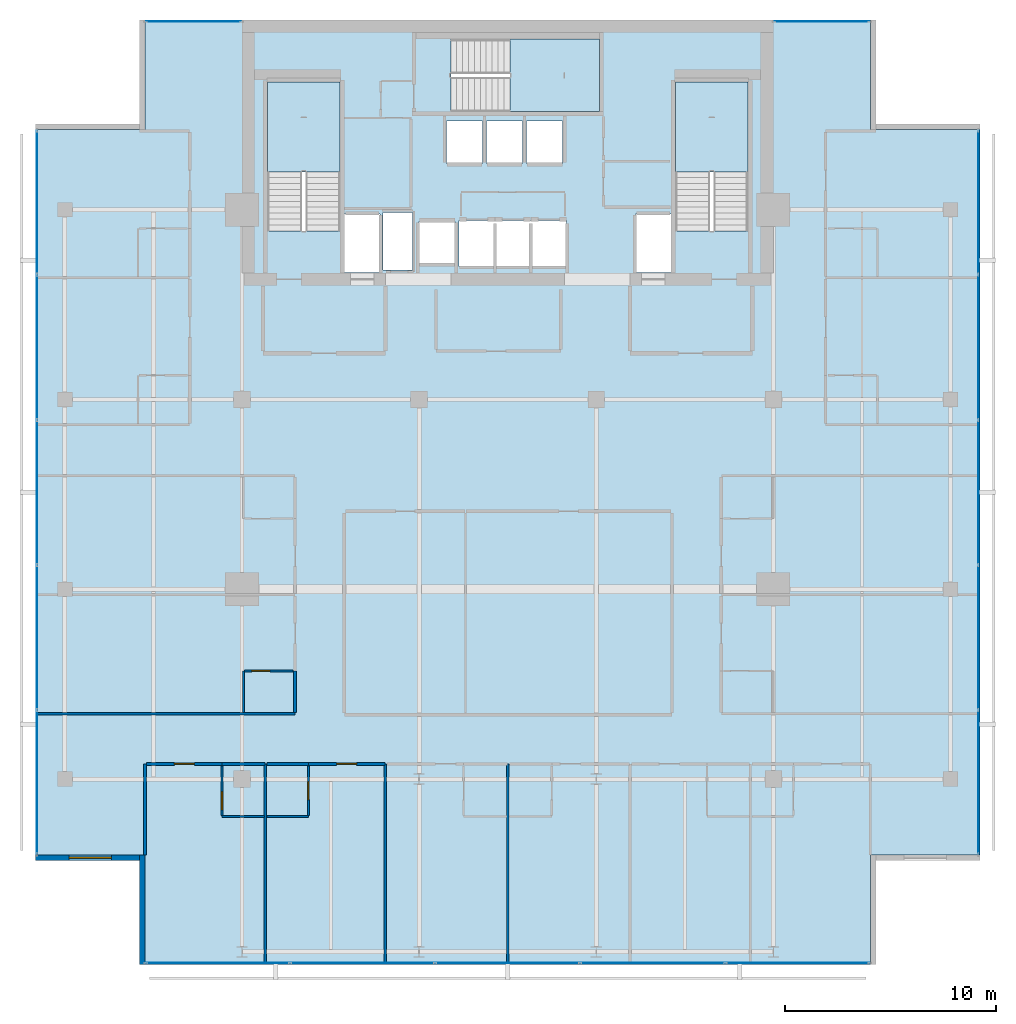
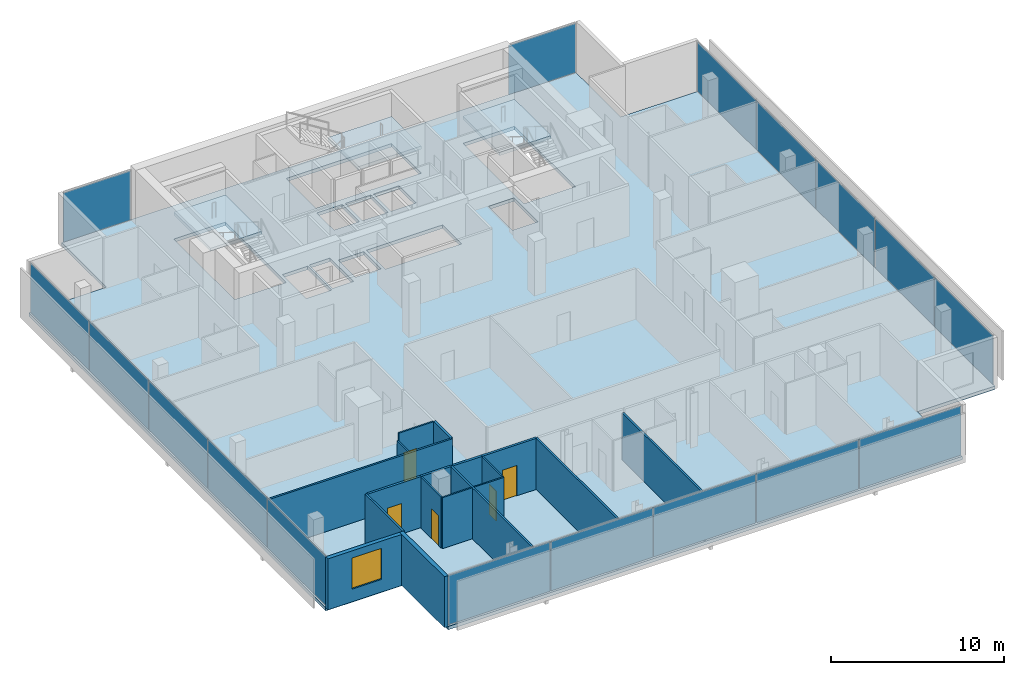
# One storey, part 19 of 25: 18 walls, 17 plates, 5 doors, 4 slabs, 1 window, 6 openings, 8 elements without a shape of their own.
"""IFC4 building model written with IfcOpenShell, lengths in metres."""

from ifc_helpers import new_model, si_unit, direction, frame, frame_2d, origin, origin_2d, place, context, subcontext, project, spatial, polyline, rectangle, outline, extrude, material, layer, layer_set, type_object, element, fill, aggregate, save


model = new_model("IFC4")

# Units and contexts
model_context = context("Model", 3, precision=1e-05, world=origin(), true_north=direction((0.0, 1.0)))
body_context = subcontext(model_context, "Body", "Model", "MODEL_VIEW")
ifc_project = project(units=[si_unit("LENGTHUNIT", "METRE"), si_unit("AREAUNIT", "SQUARE_METRE"), si_unit("VOLUMEUNIT", "CUBIC_METRE"), si_unit("PLANEANGLEUNIT", "RADIAN"), si_unit("MASSUNIT", "GRAM", prefix="KILO")], contexts=[model_context])

# Site, building, storey
site_placement = place(None, origin())
site = spatial("IfcSite", under=ifc_project, at=site_placement, CompositionType="ELEMENT")
building_placement = place(site_placement, origin())
building = spatial("IfcBuilding", under=site, at=building_placement, Name="Maruvema Waterfront Hotel and Observation Tower", CompositionType="ELEMENT")
storey_placement = place(building_placement, frame((0.0, 0.0, 247.10009765625)))
storey = spatial("IfcBuildingStorey", under=building, at=storey_placement, Name="L60", CompositionType="ELEMENT", Elevation=247.10009765625)

# Slab
ifc_material_1 = material(Name="Concrete C50/60", Category="concrete")
ifc_layer_1 = layer(ifc_material_1, 0.239990234375, Name="Reinforced Concrete Floor Slab 240 mm")
ifc_layer_set_1 = layer_set([ifc_layer_1], Name="Concrete C50/60")
slab_type_1 = type_object("IfcSlabType", Name="Reinforced Concrete Floor Slab 240 mm", PredefinedType="FLOOR", material=ifc_layer_set_1)
slab_1_placement = place(storey_placement, frame((0.0, 0.0, -0.239990234375)))
element("IfcSlab", 1, at=slab_1_placement, inside=storey, type_object=slab_type_1, Name="L60 Structural Floor Slab", PredefinedType="FLOOR", context=body_context, shape_type="SweptSolid", body=[
    extrude(outline(polyline([(20.60009765625, 9.199951171875), (55.0, 9.199951171875), (55.0, 14.39990234375), (60.199951171875, 14.39990234375), (60.199951171875, 48.800048828125), (55.0, 48.800048828125), (55.0, 54.0), (20.60009765625, 54.0), (20.60009765625, 48.800048828125), (15.39990234375, 48.800048828125), (15.39990234375, 14.39990234375), (20.60009765625, 14.39990234375), (20.60009765625, 9.199951171875)]), holes=[polyline([(26.39990234375, 44.00048828125), (26.39990234375, 51.050048828125), (29.85009765625, 51.050048828125), (29.85009765625, 44.00048828125), (26.39990234375, 44.00048828125)]), polyline([(30.050048828125, 44.800048828125), (31.75, 44.800048828125), (31.75, 42.02001953125), (30.050048828125, 42.02001953125), (30.050048828125, 44.800048828125)]), polyline([(31.8798828125, 42.139892578125), (31.8798828125, 44.860107421875), (33.280029296875, 44.860107421875), (33.280029296875, 42.139892578125), (31.8798828125, 42.139892578125)]), polyline([(33.60009765625, 44.449951171875), (35.300048828125, 44.449951171875), (35.300048828125, 42.449951171875), (33.60009765625, 42.449951171875), (33.60009765625, 44.449951171875)]), polyline([(34.89990234375, 49.199951171875), (36.60009765625, 49.199951171875), (36.60009765625, 47.199951171875), (34.89990234375, 47.199951171875), (34.89990234375, 49.199951171875)]), polyline([(36.800048828125, 47.199951171875), (36.800048828125, 49.199951171875), (38.5, 49.199951171875), (38.5, 47.199951171875), (36.800048828125, 47.199951171875)]), polyline([(35.5, 42.300048828125), (35.5, 44.5), (40.60009765625, 44.5), (40.60009765625, 42.300048828125), (35.5, 42.300048828125)]), polyline([(35.1005859375, 53.10009765625), (42.14990234375, 53.10009765625), (42.14990234375, 49.64990234375), (35.1005859375, 49.64990234375), (35.1005859375, 53.10009765625)]), polyline([(38.699951171875, 49.199951171875), (40.39990234375, 49.199951171875), (40.39990234375, 47.199951171875), (38.699951171875, 47.199951171875), (38.699951171875, 49.199951171875)]), polyline([(43.85009765625, 44.800048828125), (45.550048828125, 44.800048828125), (45.550048828125, 42.02001953125), (43.85009765625, 42.02001953125), (43.85009765625, 44.800048828125)]), polyline([(45.75, 44.00048828125), (45.75, 51.050048828125), (49.199951171875, 51.050048828125), (49.199951171875, 44.00048828125), (45.75, 44.00048828125)])]), origin(), (0.0, 0.0, 1.0), 0.239990234375),
])

# Curtain wall, plates
ifc_material_2 = material(Name="Anodised bronze aluminium and solar-control low-E IGU", Category="aluminium")
ifc_layer_2 = layer(ifc_material_2, 0.159912109375, Name="Zone 3 Champagne Inner Thermal Curtain Wall System CW-04")
ifc_layer_set_2 = layer_set([ifc_layer_2], Name="Anodised bronze aluminium and solar-control low-E IGU")
curtain_wall_type = type_object("IfcCurtainWallType", Name="Zone 3 Champagne Inner Thermal Curtain Wall System CW-04", PredefinedType="USERDEFINED", material=ifc_layer_set_2)
curtain_wall_1_placement = place(storey_placement, origin())
curtain_wall_1 = element("IfcCurtainWall", 2, at=curtain_wall_1_placement, inside=storey, type_object=curtain_wall_type, Name="L60 Curtain Wall CW-L60-S", ObjectType="UNITISED CURTAIN WALL", PredefinedType="USERDEFINED")
ifc_material_3 = material(Name="Laminated low-E solar-control double glazing", Category="glass")
ifc_layer_3 = layer(ifc_material_3, 0.035888671875, Name="Solar Control Double-Glazed Curtain Panel 36 mm")
ifc_layer_set_3 = layer_set([ifc_layer_3], Name="Laminated low-E solar-control double glazing")
plate_type = type_object("IfcPlateType", Name="Solar Control Double-Glazed Curtain Panel 36 mm", PredefinedType="CURTAIN_PANEL", material=ifc_layer_set_3)
plate_1_placement = place(storey_placement, frame((24.054931640625, 9.280029296875, 0.06005859375), z_axis=(0.0, 0.0, 1.0), x_axis=(1.0, 0.0, 0.0)))
plate_1 = element("IfcPlate", 3, at=plate_1_placement, type_object=plate_type, Name="CW-04 panel 1.1", PredefinedType="CURTAIN_PANEL", context=body_context, shape_type="SweptSolid", body=[
    extrude(rectangle(XDim=6.7900390625, YDim=0.028076171875, at=origin_2d()), origin(), (0.0, 0.0, 1.0), 3.489990234375),
])
plate_2_placement = place(storey_placement, frame((30.919921875, 9.280029296875, 0.06005859375), z_axis=(0.0, 0.0, 1.0), x_axis=(1.0, 0.0, 0.0)))
plate_2 = element("IfcPlate", 4, at=plate_2_placement, type_object=plate_type, Name="CW-04 panel 2.1", PredefinedType="CURTAIN_PANEL", context=body_context, shape_type="SweptSolid", body=[
    extrude(rectangle(XDim=6.820068359375, YDim=0.028076171875, at=origin_2d()), origin(), (0.0, 0.0, 1.0), 3.489990234375),
])
plate_3_placement = place(storey_placement, frame((37.800048828125, 9.280029296875, 0.06005859375), z_axis=(0.0, 0.0, 1.0), x_axis=(1.0, 0.0, 0.0)))
plate_3 = element("IfcPlate", 5, at=plate_3_placement, type_object=plate_type, Name="CW-04 panel 3.1", PredefinedType="CURTAIN_PANEL", context=body_context, shape_type="SweptSolid", body=[
    extrude(rectangle(XDim=6.820068359375, YDim=0.028076171875, at=origin_2d()), origin(), (0.0, 0.0, 1.0), 3.489990234375),
])
plate_4_placement = place(storey_placement, frame((44.679931640625, 9.280029296875, 0.06005859375), z_axis=(0.0, 0.0, 1.0), x_axis=(1.0, 0.0, 0.0)))
plate_4 = element("IfcPlate", 6, at=plate_4_placement, type_object=plate_type, Name="CW-04 panel 4.1", PredefinedType="CURTAIN_PANEL", context=body_context, shape_type="SweptSolid", body=[
    extrude(rectangle(XDim=6.820068359375, YDim=0.028076171875, at=origin_2d()), origin(), (0.0, 0.0, 1.0), 3.489990234375),
])
plate_5_placement = place(storey_placement, frame((51.544921875, 9.280029296875, 0.06005859375), z_axis=(0.0, 0.0, 1.0), x_axis=(1.0, 0.0, 0.0)))
plate_5 = element("IfcPlate", 7, at=plate_5_placement, type_object=plate_type, Name="CW-04 panel 5.1", PredefinedType="CURTAIN_PANEL", context=body_context, shape_type="SweptSolid", body=[
    extrude(rectangle(XDim=6.7900390625, YDim=0.028076171875, at=origin_2d()), origin(), (0.0, 0.0, 1.0), 3.489990234375),
])
aggregate(curtain_wall_1, [plate_1, plate_2, plate_3, plate_4, plate_5])

curtain_wall_2_placement = place(storey_placement, origin())
curtain_wall_2 = element("IfcCurtainWall", 8, at=curtain_wall_2_placement, inside=storey, type_object=curtain_wall_type, Name="L60 Curtain Wall CW-L60-E", ObjectType="UNITISED CURTAIN WALL", PredefinedType="USERDEFINED")
plate_6_placement = place(storey_placement, frame((60.1201171875, 17.85498046875, 0.06005859375), z_axis=(0.0, 0.0, 1.0), x_axis=(0.0, 1.0, 0.0)))
plate_6 = element("IfcPlate", 9, at=plate_6_placement, type_object=plate_type, Name="CW-04 panel 1.1", PredefinedType="CURTAIN_PANEL", context=body_context, shape_type="SweptSolid", body=[
    extrude(rectangle(XDim=6.7900390625, YDim=0.028076171875, at=origin_2d()), origin(), (0.0, 0.0, 1.0), 3.489990234375),
])
plate_7_placement = place(storey_placement, frame((60.1201171875, 24.719970703125, 0.06005859375), z_axis=(0.0, 0.0, 1.0), x_axis=(0.0, 1.0, 0.0)))
plate_7 = element("IfcPlate", 10, at=plate_7_placement, type_object=plate_type, Name="CW-04 panel 2.1", PredefinedType="CURTAIN_PANEL", context=body_context, shape_type="SweptSolid", body=[
    extrude(rectangle(XDim=6.820068359375, YDim=0.028076171875, at=origin_2d()), origin(), (0.0, 0.0, 1.0), 3.489990234375),
])
plate_8_placement = place(storey_placement, frame((60.1201171875, 31.60009765625, 0.06005859375), z_axis=(0.0, 0.0, 1.0), x_axis=(0.0, 1.0, 0.0)))
plate_8 = element("IfcPlate", 11, at=plate_8_placement, type_object=plate_type, Name="CW-04 panel 3.1", PredefinedType="CURTAIN_PANEL", context=body_context, shape_type="SweptSolid", body=[
    extrude(rectangle(XDim=6.820068359375, YDim=0.028076171875, at=origin_2d()), origin(), (0.0, 0.0, 1.0), 3.489990234375),
])
plate_9_placement = place(storey_placement, frame((60.1201171875, 38.47998046875, 0.06005859375), z_axis=(0.0, 0.0, 1.0), x_axis=(0.0, 1.0, 0.0)))
plate_9 = element("IfcPlate", 12, at=plate_9_placement, type_object=plate_type, Name="CW-04 panel 4.1", PredefinedType="CURTAIN_PANEL", context=body_context, shape_type="SweptSolid", body=[
    extrude(rectangle(XDim=6.820068359375, YDim=0.028076171875, at=origin_2d()), origin(), (0.0, 0.0, 1.0), 3.489990234375),
])
plate_10_placement = place(storey_placement, frame((60.1201171875, 45.344970703125, 0.06005859375), z_axis=(0.0, 0.0, 1.0), x_axis=(0.0, 1.0, 0.0)))
plate_10 = element("IfcPlate", 13, at=plate_10_placement, type_object=plate_type, Name="CW-04 panel 5.1", PredefinedType="CURTAIN_PANEL", context=body_context, shape_type="SweptSolid", body=[
    extrude(rectangle(XDim=6.7900390625, YDim=0.028076171875, at=origin_2d()), origin(), (0.0, 0.0, 1.0), 3.489990234375),
])
aggregate(curtain_wall_2, [plate_6, plate_7, plate_8, plate_9, plate_10])

curtain_wall_3_placement = place(storey_placement, origin())
curtain_wall_3 = element("IfcCurtainWall", 14, at=curtain_wall_3_placement, inside=storey, type_object=curtain_wall_type, Name="L60 Curtain Wall CW-L60-W", ObjectType="UNITISED CURTAIN WALL", PredefinedType="USERDEFINED")
plate_11_placement = place(storey_placement, frame((15.47998046875, 45.344970703125, 0.06005859375), z_axis=(0.0, 0.0, 1.0), x_axis=(0.0, -1.0, 0.0)))
plate_11 = element("IfcPlate", 15, at=plate_11_placement, type_object=plate_type, Name="CW-04 panel 1.1", PredefinedType="CURTAIN_PANEL", context=body_context, shape_type="SweptSolid", body=[
    extrude(rectangle(XDim=6.7900390625, YDim=0.028076171875, at=origin_2d()), origin(), (0.0, 0.0, 1.0), 3.489990234375),
])
plate_12_placement = place(storey_placement, frame((15.47998046875, 38.47998046875, 0.06005859375), z_axis=(0.0, 0.0, 1.0), x_axis=(0.0, -1.0, 0.0)))
plate_12 = element("IfcPlate", 16, at=plate_12_placement, type_object=plate_type, Name="CW-04 panel 2.1", PredefinedType="CURTAIN_PANEL", context=body_context, shape_type="SweptSolid", body=[
    extrude(rectangle(XDim=6.820068359375, YDim=0.028076171875, at=origin_2d()), origin(), (0.0, 0.0, 1.0), 3.489990234375),
])
plate_13_placement = place(storey_placement, frame((15.47998046875, 31.60009765625, 0.06005859375), z_axis=(0.0, 0.0, 1.0), x_axis=(0.0, -1.0, 0.0)))
plate_13 = element("IfcPlate", 17, at=plate_13_placement, type_object=plate_type, Name="CW-04 panel 3.1", PredefinedType="CURTAIN_PANEL", context=body_context, shape_type="SweptSolid", body=[
    extrude(rectangle(XDim=6.820068359375, YDim=0.028076171875, at=origin_2d()), origin(), (0.0, 0.0, 1.0), 3.489990234375),
])
plate_14_placement = place(storey_placement, frame((15.47998046875, 24.719970703125, 0.06005859375), z_axis=(0.0, 0.0, 1.0), x_axis=(0.0, -1.0, 0.0)))
plate_14 = element("IfcPlate", 18, at=plate_14_placement, type_object=plate_type, Name="CW-04 panel 4.1", PredefinedType="CURTAIN_PANEL", context=body_context, shape_type="SweptSolid", body=[
    extrude(rectangle(XDim=6.820068359375, YDim=0.028076171875, at=origin_2d()), origin(), (0.0, 0.0, 1.0), 3.489990234375),
])
plate_15_placement = place(storey_placement, frame((15.47998046875, 17.85498046875, 0.06005859375), z_axis=(0.0, 0.0, 1.0), x_axis=(0.0, -1.0, 0.0)))
plate_15 = element("IfcPlate", 19, at=plate_15_placement, type_object=plate_type, Name="CW-04 panel 5.1", PredefinedType="CURTAIN_PANEL", context=body_context, shape_type="SweptSolid", body=[
    extrude(rectangle(XDim=6.7900390625, YDim=0.028076171875, at=origin_2d()), origin(), (0.0, 0.0, 1.0), 3.489990234375),
])
aggregate(curtain_wall_3, [plate_11, plate_12, plate_13, plate_14, plate_15])

# Curtain wall, plate
curtain_wall_4_placement = place(storey_placement, origin())
curtain_wall_4 = element("IfcCurtainWall", 20, at=curtain_wall_4_placement, inside=storey, type_object=curtain_wall_type, Name="L60 Curtain Wall CW-L60-NW", ObjectType="UNITISED CURTAIN WALL", PredefinedType="USERDEFINED")
plate_16_placement = place(storey_placement, frame((22.89990234375, 53.919921875, 0.06005859375), z_axis=(0.0, 0.0, 1.0), x_axis=(-1.0, 0.0, 0.0)))
plate_16 = element("IfcPlate", 21, at=plate_16_placement, type_object=plate_type, Name="CW-04 panel 1.1", PredefinedType="CURTAIN_PANEL", context=body_context, shape_type="SweptSolid", body=[
    extrude(rectangle(XDim=4.47998046875, YDim=0.028076171875, at=origin_2d()), origin(), (0.0, 0.0, 1.0), 3.489990234375),
])
aggregate(curtain_wall_4, [plate_16])

curtain_wall_5_placement = place(storey_placement, origin())
curtain_wall_5 = element("IfcCurtainWall", 22, at=curtain_wall_5_placement, inside=storey, type_object=curtain_wall_type, Name="L60 Curtain Wall CW-L60-NE", ObjectType="UNITISED CURTAIN WALL", PredefinedType="USERDEFINED")
plate_17_placement = place(storey_placement, frame((52.699951171875, 53.919921875, 0.06005859375), z_axis=(0.0, 0.0, 1.0), x_axis=(-1.0, 0.0, 0.0)))
plate_17 = element("IfcPlate", 23, at=plate_17_placement, type_object=plate_type, Name="CW-04 panel 1.1", PredefinedType="CURTAIN_PANEL", context=body_context, shape_type="SweptSolid", body=[
    extrude(rectangle(XDim=4.47998046875, YDim=0.028076171875, at=origin_2d()), origin(), (0.0, 0.0, 1.0), 3.489990234375),
])
aggregate(curtain_wall_5, [plate_17])

# Stair, slab
ifc_material_4 = material(Name="Concrete C50/60", Category="concrete")
stair_type = type_object("IfcStairType", Name="Dogleg Exit Stair 1650 mm (22R x 175.0 mm)", PredefinedType="HALF_TURN_STAIR", material=ifc_material_4)
stair_1_placement = place(storey_placement, origin())
stair_1 = element("IfcStair", 24, at=stair_1_placement, inside=storey, type_object=stair_type, Name="L60 ST-01", PredefinedType="HALF_TURN_STAIR")
ifc_material_5 = material(Name="Concrete C50/60", Category="concrete")
ifc_layer_4 = layer(ifc_material_5, 0.219970703125, Name="Stair Concrete Landing Slab 220 mm")
ifc_layer_set_4 = layer_set([ifc_layer_4], Name="Concrete C50/60")
slab_type_2 = type_object("IfcSlabType", Name="Stair Concrete Landing Slab 220 mm", PredefinedType="LANDING", material=ifc_layer_set_4)
slab_2_placement = place(storey_placement, frame((0.0, 0.0, 1.704833984375)))
slab_2 = element("IfcSlab", 25, at=slab_2_placement, type_object=slab_type_2, Name="ST-01 landing 1", PredefinedType="LANDING", context=body_context, shape_type="SweptSolid", body=[
    extrude(outline(polyline([(29.85009765625, 46.800048828125), (29.85009765625, 51.050048828125), (26.39990234375, 51.050048828125), (26.39990234375, 46.800048828125), (29.85009765625, 46.800048828125)])), origin(), (0.0, 0.0, 1.0), 0.219970703125),
])
aggregate(stair_1, [slab_2])

stair_2_placement = place(storey_placement, origin())
stair_2 = element("IfcStair", 26, at=stair_2_placement, inside=storey, type_object=stair_type, Name="L60 ST-02", PredefinedType="HALF_TURN_STAIR")
slab_3_placement = place(storey_placement, frame((0.0, 0.0, 1.704833984375)))
slab_3 = element("IfcSlab", 27, at=slab_3_placement, type_object=slab_type_2, Name="ST-02 landing 1", PredefinedType="LANDING", context=body_context, shape_type="SweptSolid", body=[
    extrude(outline(polyline([(37.89990234375, 49.64990234375), (42.14990234375, 49.64990234375), (42.14990234375, 53.10009765625), (37.89990234375, 53.10009765625), (37.89990234375, 49.64990234375)])), origin(), (0.0, 0.0, 1.0), 0.219970703125),
])
aggregate(stair_2, [slab_3])

stair_3_placement = place(storey_placement, origin())
stair_3 = element("IfcStair", 28, at=stair_3_placement, inside=storey, type_object=stair_type, Name="L60 ST-03", PredefinedType="HALF_TURN_STAIR")
slab_4_placement = place(storey_placement, frame((0.0, 0.0, 1.704833984375)))
slab_4 = element("IfcSlab", 29, at=slab_4_placement, type_object=slab_type_2, Name="ST-03 landing 1", PredefinedType="LANDING", context=body_context, shape_type="SweptSolid", body=[
    extrude(outline(polyline([(49.199951171875, 46.800048828125), (49.199951171875, 51.050048828125), (45.75, 51.050048828125), (45.75, 46.800048828125), (49.199951171875, 46.800048828125)])), origin(), (0.0, 0.0, 1.0), 0.219970703125),
])
aggregate(stair_3, [slab_4])

# Wall
ifc_material_6 = material(Name="Twin-stud acoustic gypsum drywall", Category="gypsum")
ifc_layer_5 = layer(ifc_material_6, 0.14990234375, Name="Acoustic Corridor and Suite Demising Wall 150 mm")
ifc_layer_set_5 = layer_set([ifc_layer_5], Name="Twin-stud acoustic gypsum drywall")
wall_type_1 = type_object("IfcWallType", Name="Acoustic Corridor and Suite Demising Wall 150 mm", PredefinedType="PARTITIONING", material=ifc_layer_set_5)
wall_1_placement = place(storey_placement, frame((24.25, 18.719970703125, 0.0), z_axis=(0.0, 0.0, 1.0), x_axis=(1.0, 0.0, 0.0)))
element("IfcWall", 30, at=wall_1_placement, inside=storey, type_object=wall_type_1, Name="L60 Bath L60-S1 Back Wall 033", PredefinedType="PARTITIONING", context=body_context, shape_type="SweptSolid", body=[
    extrude(rectangle(XDim=2.030029296875, YDim=0.14990234375, at=frame_2d((1.01513671875, 0.0))), origin(), (0.0, 0.0, 1.0), 3.60986328125),
])

# Wall, opening, door
wall_2_placement = place(storey_placement, frame((20.679931640625, 18.719970703125, 0.0), z_axis=(0.0, 0.0, 1.0), x_axis=(1.0, 0.0, 0.0)))
wall_2 = element("IfcWall", 31, at=wall_2_placement, inside=storey, type_object=wall_type_1, Name="L60 Unit L60-S1 Corridor Wall 036", PredefinedType="PARTITIONING", context=body_context, shape_type="SweptSolid", body=[
    extrude(rectangle(XDim=3.570068359375, YDim=0.14990234375, at=frame_2d((1.78515625, 0.0))), origin(), (0.0, 0.0, 1.0), 3.60986328125),
])
opening_1_placement = place(wall_2_placement, frame((1.31005859375, 0.0, 0.0)))
opening_1 = element("IfcOpeningElement", 32, at=opening_1_placement, cuts=wall_2, Name="Opening DR-095", PredefinedType="OPENING", context=body_context, shape_type="SweptSolid", body=[
    extrude(rectangle(XDim=0.949951171875, YDim=2.14990234375, at=frame_2d((0.47509765625, 1.074951171875))), frame((0.0, 0.0849609375, 0.0), z_axis=(0.0, -1.0, 0.0), x_axis=(1.0, 0.0, 0.0)), (0.0, 0.0, 1.0), 0.169921875),
])
ifc_material_7 = material(Name="Acoustic solid-core hardwood timber leaf", Category="wood")
door_type_1 = type_object("IfcDoorType", Name="Guestroom Entrance Fire Door 950x2150 mm", OperationType="NOTDEFINED", PredefinedType="DOOR", material=ifc_material_7)
door_1_placement = place(opening_1_placement, frame((0.949951171875, 0.0, 0.0), z_axis=(0.0, 0.0, 1.0), x_axis=(-1.0, 0.0, 0.0)))
door_1 = element("IfcDoor", 33, at=door_1_placement, inside=storey, type_object=door_type_1, Name="L60 Unit L60-S1 Entrance Door", OperationType="SINGLE_SWING_RIGHT", OverallHeight=2.14990234375, OverallWidth=0.949951171875, PredefinedType="DOOR", context=body_context, shape_type="SweptSolid", body=[
    extrude(rectangle(XDim=0.949951171875, YDim=2.14990234375, at=frame_2d((0.47509765625, 1.074951171875))), frame((0.0, 0.02490234375, 0.0), z_axis=(0.0, -1.0, 0.0), x_axis=(1.0, 0.0, 0.0)), (0.0, 0.0, 1.0), 0.050048828125),
])
fill(opening_1, door_1)

# Wall
wall_3_placement = place(storey_placement, frame((26.3798828125, 18.719970703125, 0.0), z_axis=(0.0, 0.0, 1.0), x_axis=(1.0, 0.0, 0.0)))
element("IfcWall", 34, at=wall_3_placement, inside=storey, type_object=wall_type_1, Name="L60 Bath L60-S2 Back Wall 038", PredefinedType="PARTITIONING", context=body_context, shape_type="SweptSolid", body=[
    extrude(rectangle(XDim=1.97021484375, YDim=0.14990234375, at=frame_2d((0.985107421875, 0.0))), origin(), (0.0, 0.0, 1.0), 3.60986328125),
])

# Wall, opening, door
wall_4_placement = place(storey_placement, frame((28.35009765625, 18.719970703125, 0.0), z_axis=(0.0, 0.0, 1.0), x_axis=(1.0, 0.0, 0.0)))
wall_4 = element("IfcWall", 35, at=wall_4_placement, inside=storey, type_object=wall_type_1, Name="L60 Unit L60-S2 Corridor Wall 041", PredefinedType="PARTITIONING", context=body_context, shape_type="SweptSolid", body=[
    extrude(rectangle(XDim=3.6298828125, YDim=0.14990234375, at=frame_2d((1.81494140625, 0.0))), origin(), (0.0, 0.0, 1.0), 3.60986328125),
])
opening_2_placement = place(wall_4_placement, frame((1.340087890625, 0.0, 0.0)))
opening_2 = element("IfcOpeningElement", 36, at=opening_2_placement, cuts=wall_4, Name="Opening DR-095", PredefinedType="OPENING", context=body_context, shape_type="SweptSolid", body=[
    extrude(rectangle(XDim=0.949951171875, YDim=2.14990234375, at=frame_2d((0.47509765625, 1.074951171875))), frame((0.0, 0.0849609375, 0.0), z_axis=(0.0, -1.0, 0.0), x_axis=(1.0, 0.0, 0.0)), (0.0, 0.0, 1.0), 0.169921875),
])
door_2_placement = place(opening_2_placement, frame((0.949951171875, 0.0, 0.0), z_axis=(0.0, 0.0, 1.0), x_axis=(-1.0, 0.0, 0.0)))
door_2 = element("IfcDoor", 37, at=door_2_placement, inside=storey, type_object=door_type_1, Name="L60 Unit L60-S2 Entrance Door", OperationType="SINGLE_SWING_RIGHT", OverallHeight=2.14990234375, OverallWidth=0.949951171875, PredefinedType="DOOR", context=body_context, shape_type="SweptSolid", body=[
    extrude(rectangle(XDim=0.949951171875, YDim=2.14990234375, at=frame_2d((0.47509765625, 1.074951171875))), frame((0.0, 0.02490234375, 0.0), z_axis=(0.0, -1.0, 0.0), x_axis=(1.0, 0.0, 0.0)), (0.0, 0.0, 1.0), 0.050048828125),
])
fill(opening_2, door_2)

# Walls
wall_5_placement = place(storey_placement, frame((27.719970703125, 21.159912109375, 0.0), z_axis=(0.0, 0.0, 1.0), x_axis=(0.0, 1.0, 0.0)))
element("IfcWall", 38, at=wall_5_placement, inside=storey, type_object=wall_type_1, Name="L60 Bath L60-W1 Wall 066", PredefinedType="PARTITIONING", context=body_context, shape_type="SweptSolid", body=[
    extrude(rectangle(XDim=1.969970703125, YDim=0.14990234375, at=frame_2d((0.98486328125, 0.0))), origin(), (0.0, 0.0, 1.0), 3.60986328125),
])
ifc_material_8 = material(Name="Moisture-resistant cement-board drywall", Category="gypsum")
ifc_layer_6 = layer(ifc_material_8, 0.10009765625, Name="En-Suite Moisture-Resistant Partition 100 mm")
ifc_layer_set_6 = layer_set([ifc_layer_6], Name="Moisture-resistant cement-board drywall")
wall_type_2 = type_object("IfcWallType", Name="En-Suite Moisture-Resistant Partition 100 mm", PredefinedType="PARTITIONING", material=ifc_layer_set_6)
wall_6_placement = place(storey_placement, frame((24.25, 16.219970703125, 0.0), z_axis=(0.0, 0.0, 1.0), x_axis=(1.0, 0.0, 0.0)))
element("IfcWall", 39, at=wall_6_placement, inside=storey, type_object=wall_type_2, Name="L60 En-Suite L60-S1 South 034", PredefinedType="PARTITIONING", context=body_context, shape_type="SweptSolid", body=[
    extrude(rectangle(XDim=2.010009765625, YDim=0.10009765625, at=frame_2d((1.0048828125, 0.0))), origin(), (0.0, 0.0, 1.0), 3.60986328125),
])

# Wall, opening, door
wall_7_placement = place(storey_placement, frame((24.25, 16.280029296875, 0.0), z_axis=(0.0, 0.0, 1.0), x_axis=(0.0, 1.0, 0.0)))
wall_7 = element("IfcWall", 40, at=wall_7_placement, inside=storey, type_object=wall_type_2, Name="L60 En-Suite L60-S1 West 035", PredefinedType="PARTITIONING", context=body_context, shape_type="SweptSolid", body=[
    extrude(rectangle(XDim=2.340087890625, YDim=0.10009765625, at=frame_2d((1.169921875, 0.0))), origin(), (0.0, 0.0, 1.0), 3.60986328125),
])
opening_3_placement = place(wall_7_placement, frame((0.264892578125, 0.0, 0.0)))
opening_3 = element("IfcOpeningElement", 41, at=opening_3_placement, cuts=wall_7, Name="Opening DR-085", PredefinedType="OPENING", context=body_context, shape_type="SweptSolid", body=[
    extrude(rectangle(XDim=0.85009765625, YDim=2.10009765625, at=frame_2d((0.425048828125, 1.050048828125))), frame((0.0, 0.06005859375, 0.0), z_axis=(0.0, -1.0, 0.0), x_axis=(1.0, 0.0, 0.0)), (0.0, 0.0, 1.0), 0.1201171875),
])
ifc_material_9 = material(Name="Moisture-resistant solid timber leaf", Category="wood")
door_type_2 = type_object("IfcDoorType", Name="En-Suite Bathroom Door 850x2100 mm", OperationType="NOTDEFINED", PredefinedType="DOOR", material=ifc_material_9)
door_3_placement = place(opening_3_placement, origin())
door_3 = element("IfcDoor", 42, at=door_3_placement, inside=storey, type_object=door_type_2, Name="L60 En-Suite L60-S1 Door", OperationType="SINGLE_SWING_LEFT", OverallHeight=2.10009765625, OverallWidth=0.85009765625, PredefinedType="DOOR", context=body_context, shape_type="SweptSolid", body=[
    extrude(rectangle(XDim=0.85009765625, YDim=2.10009765625, at=frame_2d((0.425048828125, 1.050048828125))), frame((0.0, 0.02490234375, 0.0), z_axis=(0.0, -1.0, 0.0), x_axis=(1.0, 0.0, 0.0)), (0.0, 0.0, 1.0), 0.050048828125),
])
fill(opening_3, door_3)

# Wall
wall_8_placement = place(storey_placement, frame((26.3798828125, 16.219970703125, 0.0), z_axis=(0.0, 0.0, 1.0), x_axis=(1.0, 0.0, 0.0)))
element("IfcWall", 43, at=wall_8_placement, inside=storey, type_object=wall_type_2, Name="L60 En-Suite L60-S2 South 039", PredefinedType="PARTITIONING", context=body_context, shape_type="SweptSolid", body=[
    extrude(rectangle(XDim=1.97021484375, YDim=0.10009765625, at=frame_2d((0.985107421875, 0.0))), origin(), (0.0, 0.0, 1.0), 3.60986328125),
])

# Wall, opening, door
wall_9_placement = place(storey_placement, frame((28.35009765625, 16.280029296875, 0.0), z_axis=(0.0, 0.0, 1.0), x_axis=(0.0, 1.0, 0.0)))
wall_9 = element("IfcWall", 44, at=wall_9_placement, inside=storey, type_object=wall_type_2, Name="L60 En-Suite L60-S2 East 040", PredefinedType="PARTITIONING", context=body_context, shape_type="SweptSolid", body=[
    extrude(rectangle(XDim=2.340087890625, YDim=0.10009765625, at=frame_2d((1.169921875, 0.0))), origin(), (0.0, 0.0, 1.0), 3.60986328125),
])
opening_4_placement = place(wall_9_placement, frame((0.7451171875, 0.0, 0.0)))
opening_4 = element("IfcOpeningElement", 45, at=opening_4_placement, cuts=wall_9, Name="Opening DR-085", PredefinedType="OPENING", context=body_context, shape_type="SweptSolid", body=[
    extrude(rectangle(XDim=0.85009765625, YDim=2.10009765625, at=frame_2d((0.425048828125, 1.050048828125))), frame((0.0, 0.06005859375, 0.0), z_axis=(0.0, -1.0, 0.0), x_axis=(1.0, 0.0, 0.0)), (0.0, 0.0, 1.0), 0.1201171875),
])
door_4_placement = place(opening_4_placement, frame((0.85009765625, 0.0, 0.0), z_axis=(0.0, 0.0, 1.0), x_axis=(-1.0, 0.0, 0.0)))
door_4 = element("IfcDoor", 46, at=door_4_placement, inside=storey, type_object=door_type_2, Name="L60 En-Suite L60-S2 Door", OperationType="SINGLE_SWING_LEFT", OverallHeight=2.10009765625, OverallWidth=0.85009765625, PredefinedType="DOOR", context=body_context, shape_type="SweptSolid", body=[
    extrude(rectangle(XDim=0.85009765625, YDim=2.10009765625, at=frame_2d((0.425048828125, 1.050048828125))), frame((0.0, 0.02490234375, 0.0), z_axis=(0.0, -1.0, 0.0), x_axis=(1.0, 0.0, 0.0)), (0.0, 0.0, 1.0), 0.050048828125),
])
fill(opening_4, door_4)

# Wall
wall_10_placement = place(storey_placement, frame((25.27001953125, 21.159912109375, 0.0), z_axis=(0.0, 0.0, 1.0), x_axis=(0.0, 1.0, 0.0)))
element("IfcWall", 47, at=wall_10_placement, inside=storey, type_object=wall_type_2, Name="L60 En-Suite L60-W1 W 068", PredefinedType="PARTITIONING", context=body_context, shape_type="SweptSolid", body=[
    extrude(rectangle(XDim=1.969970703125, YDim=0.10009765625, at=frame_2d((0.98486328125, 0.0))), origin(), (0.0, 0.0, 1.0), 3.076904296875),
])

# Wall, opening, door
wall_11_placement = place(storey_placement, frame((25.320068359375, 23.1298828125, 0.0), z_axis=(0.0, 0.0, 1.0), x_axis=(1.0, 0.0, 0.0)))
wall_11 = element("IfcWall", 48, at=wall_11_placement, inside=storey, type_object=wall_type_2, Name="L60 En-Suite L60-W1 N 069", PredefinedType="PARTITIONING", context=body_context, shape_type="SweptSolid", body=[
    extrude(rectangle(XDim=2.300048828125, YDim=0.10009765625, at=frame_2d((1.14990234375, 0.0))), origin(), (0.0, 0.0, 1.0), 3.60986328125),
])
opening_5_placement = place(wall_11_placement, frame((0.35009765625, 0.0, 0.0)))
opening_5 = element("IfcOpeningElement", 49, at=opening_5_placement, cuts=wall_11, Name="Opening DR-085", PredefinedType="OPENING", context=body_context, shape_type="SweptSolid", body=[
    extrude(rectangle(XDim=0.85009765625, YDim=2.10009765625, at=frame_2d((0.425048828125, 1.050048828125))), frame((0.0, 0.06005859375, 0.0), z_axis=(0.0, -1.0, 0.0), x_axis=(1.0, 0.0, 0.0)), (0.0, 0.0, 1.0), 0.1201171875),
])
door_5_placement = place(opening_5_placement, origin())
door_5 = element("IfcDoor", 50, at=door_5_placement, inside=storey, type_object=door_type_2, Name="L60 En-Suite L60-W1 Door", OperationType="SINGLE_SWING_LEFT", OverallHeight=2.10009765625, OverallWidth=0.85009765625, PredefinedType="DOOR", context=body_context, shape_type="SweptSolid", body=[
    extrude(rectangle(XDim=0.85009765625, YDim=2.10009765625, at=frame_2d((0.425048828125, 1.050048828125))), frame((0.0, 0.02490234375, 0.0), z_axis=(0.0, -1.0, 0.0), x_axis=(1.0, 0.0, 0.0)), (0.0, 0.0, 1.0), 0.050048828125),
])
fill(opening_5, door_5)

# Wall
ifc_material_10 = material(Name="Precast concrete C45/55 with honed Pernambuco granite facing", Category="masonry")
ifc_layer_7 = layer(ifc_material_10, 0.260009765625, Name="Exterior Granite Clad Spandrel and Pier Wall 260 mm")
ifc_layer_set_7 = layer_set([ifc_layer_7], Name="Precast concrete C45/55 with honed Pernambuco granite facing")
wall_type_3 = type_object("IfcWallType", Name="Exterior Granite Clad Spandrel and Pier Wall 260 mm", PredefinedType="SOLIDWALL", material=ifc_layer_set_7)
wall_12_placement = place(storey_placement, frame((20.469970703125, 9.199951171875, 0.0), z_axis=(0.0, 0.0, 1.0), x_axis=(0.0, 1.0, 0.0)))
element("IfcWall", 51, at=wall_12_placement, inside=storey, type_object=wall_type_3, Name="L60 Corner Notch Granite Pier Wall SW1", PredefinedType="SOLIDWALL", context=body_context, shape_type="SweptSolid", body=[
    extrude(rectangle(XDim=5.199951171875, YDim=0.260009765625, at=frame_2d((2.60009765625, 0.0))), origin(), (0.0, 0.0, 1.0), 3.60986328125),
])

# Wall, opening, window
wall_13_placement = place(storey_placement, frame((20.60009765625, 14.27001953125, 0.0), z_axis=(0.0, 0.0, 1.0), x_axis=(-1.0, 0.0, 0.0)))
wall_13 = element("IfcWall", 52, at=wall_13_placement, inside=storey, type_object=wall_type_3, Name="L60 Corner Notch Granite Pier Wall SW2", PredefinedType="SOLIDWALL", context=body_context, shape_type="SweptSolid", body=[
    extrude(rectangle(XDim=5.2001953125, YDim=0.260009765625, at=frame_2d((2.60009765625, 0.0))), origin(), (0.0, 0.0, 1.0), 3.60986328125),
])
opening_6_placement = place(wall_13_placement, frame((1.60009765625, 0.0, 0.89990234375)))
opening_6 = element("IfcOpeningElement", 53, at=opening_6_placement, cuts=wall_13, Name="Opening WN-03", PredefinedType="OPENING", context=body_context, shape_type="SweptSolid", body=[
    extrude(rectangle(XDim=2.0, YDim=2.199951171875, at=frame_2d((1.0, 1.10009765625))), frame((0.0, 0.14013671875, 0.0), z_axis=(0.0, -1.0, 0.0), x_axis=(1.0, 0.0, 0.0)), (0.0, 0.0, 1.0), 0.280029296875),
])
ifc_material_11 = material(Name="Anodised bronze aluminium frame with laminated low-E glass", Category="aluminium")
window_type = type_object("IfcWindowType", Name="Sky Suite Panoramic Notch Window 2000x2200 mm", PartitioningType="SINGLE_PANEL", PredefinedType="WINDOW", material=ifc_material_11)
window_placement = place(opening_6_placement, origin())
window = element("IfcWindow", 54, at=window_placement, inside=storey, type_object=window_type, Name="L60 Corner Notch Punched Window SW2", OverallHeight=2.199951171875, OverallWidth=2.0, PartitioningType="SINGLE_PANEL", PredefinedType="WINDOW", context=body_context, shape_type="SweptSolid", body=[
    extrude(rectangle(XDim=2.0, YDim=2.199951171875, at=frame_2d((1.0, 1.10009765625))), frame((0.0, 0.030029296875, 0.0), z_axis=(0.0, -1.0, 0.0), x_axis=(1.0, 0.0, 0.0)), (0.0, 0.0, 1.0), 0.06005859375),
])
fill(opening_6, window)

# Walls
ifc_material_12 = material(Name="Acoustic gypsum plasterboard drywall", Category="gypsum")
ifc_layer_8 = layer(ifc_material_12, 0.125, Name="Guestroom Acoustic Demising Wall 125 mm")
ifc_layer_set_8 = layer_set([ifc_layer_8], Name="Acoustic gypsum plasterboard drywall")
wall_type_4 = type_object("IfcWallType", Name="Guestroom Acoustic Demising Wall 125 mm", PredefinedType="PARTITIONING", material=ifc_layer_set_8)
wall_14_placement = place(storey_placement, frame((20.60009765625, 14.39990234375, 0.0), z_axis=(0.0, 0.0, 1.0), x_axis=(0.0, 1.0, 0.0)))
element("IfcWall", 55, at=wall_14_placement, inside=storey, type_object=wall_type_4, Name="L60 Z3 S West End 031", PredefinedType="PARTITIONING", context=body_context, shape_type="SweptSolid", body=[
    extrude(rectangle(XDim=4.320068359375, YDim=0.125, at=frame_2d((2.16015625, 0.0))), origin(), (0.0, 0.0, 1.0), 3.60986328125),
])
for number, where, z_axis, x_axis, name in (
    (56, (26.300048828125, 9.300048828125, 0.0), (0.0, 0.0, 1.0), (0.0, 1.0, 0.0), "L60 Z3 S Demising 2 037"),
    (57, (32.0, 9.300048828125, 0.0), (0.0, 0.0, 1.0), (0.0, 1.0, 0.0), "L60 Z3 S Demising 3 042"),
):
    element("IfcWall", number, at=place(storey_placement, frame(where, z_axis=z_axis, x_axis=x_axis)), inside=storey, type_object=wall_type_4, Name=name, PredefinedType="PARTITIONING", context=body_context, shape_type="SweptSolid", body=[
        extrude(rectangle(XDim=9.419921875, YDim=0.125, at=frame_2d((4.7099609375, 0.0))), origin(), (0.0, 0.0, 1.0), 3.60986328125),
    ])
wall_15_placement = place(storey_placement, frame((37.800048828125, 9.300048828125, 0.0), z_axis=(0.0, 0.0, 1.0), x_axis=(0.0, 1.0, 0.0)))
element("IfcWall", 58, at=wall_15_placement, inside=storey, type_object=wall_type_4, Name="L60 Z3 S Demising 4 047", PredefinedType="PARTITIONING", context=body_context, shape_type="SweptSolid", body=[
    extrude(rectangle(XDim=9.419921875, YDim=0.125, at=frame_2d((4.7099609375, 0.0))), origin(), (0.0, 0.0, 1.0), 3.343994140625),
])
wall_16_placement = place(storey_placement, frame((15.5, 21.10009765625, 0.0), z_axis=(0.0, 0.0, 1.0), x_axis=(1.0, 0.0, 0.0)))
element("IfcWall", 59, at=wall_16_placement, inside=storey, type_object=wall_type_4, Name="L60 Z3 W Bot End 062", PredefinedType="PARTITIONING", context=body_context, shape_type="SweptSolid", body=[
    extrude(rectangle(XDim=12.219970703125, YDim=0.125, at=frame_2d((6.10986328125, 0.0))), origin(), (0.0, 0.0, 1.0), 3.60986328125),
])

save(model, "model.ifc")
